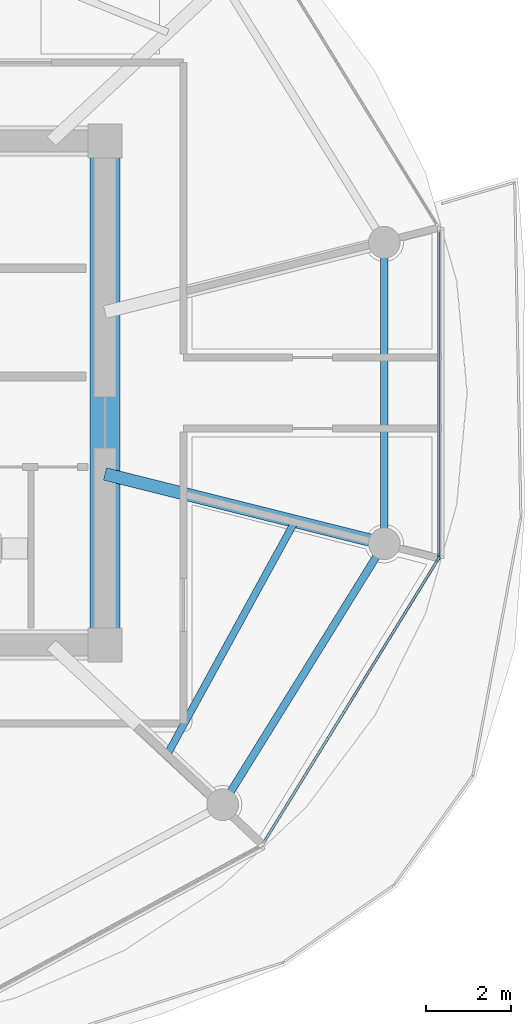
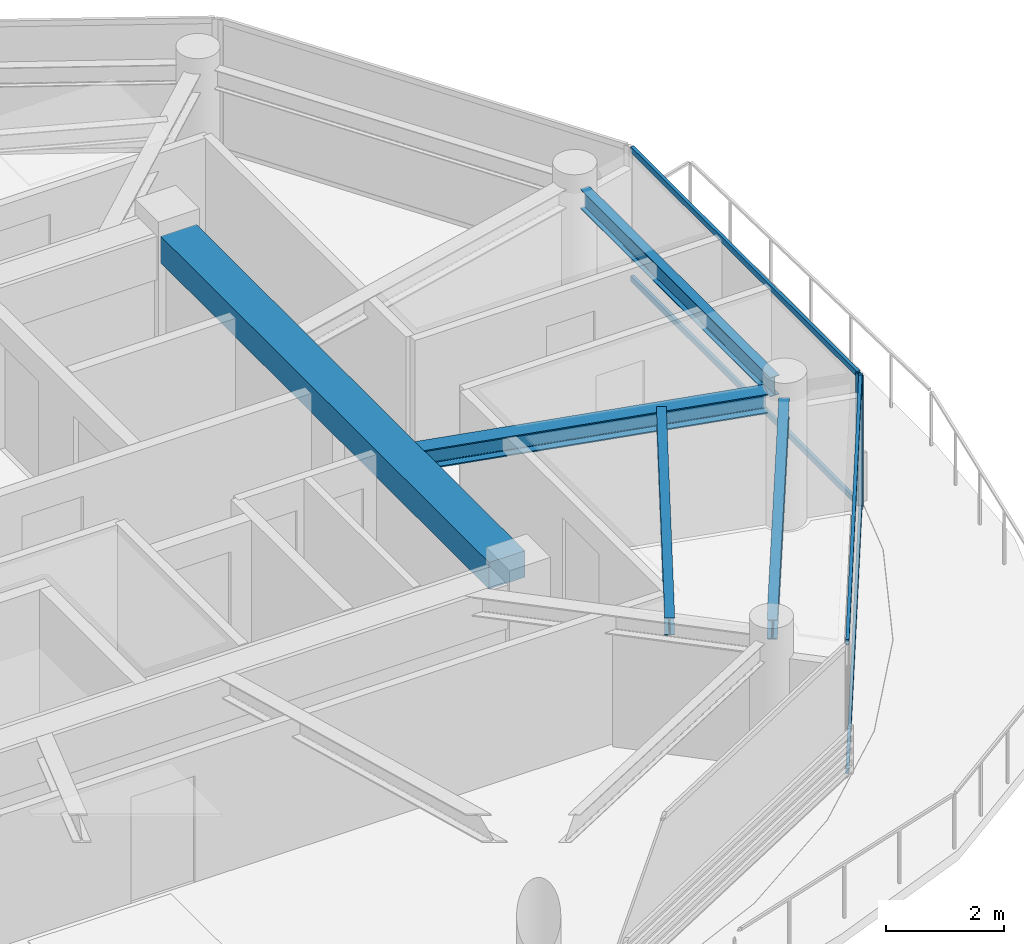
# One storey, part 3 of 21: 6 members, 5 beams, 2 elements without a shape of their own.
"""IFC4 building model written with IfcOpenShell, lengths in metres."""

import ifcopenshell
import ifcopenshell.guid

model = None  # the IFC model being written
_history = None  # IfcOwnerHistory: only IFC2X3 demands one
_inside = {}  # id of a spatial element -> (the spatial element, [elements in it])
_under = {}  # id of a project, library or spatial element -> (it, [spatial elements below it])
_declared = {}  # id of a project -> (the project, [libraries it declares])
_typed = {}  # id of a type object -> (the type object, [elements of that type])
_made_of = {}  # id of a material, layer set ... -> (it, [elements and type objects made of it])


def new_model(schema):
    """Start an empty IFC model of exactly this schema.

    Asked for "IFC4X3", IfcOpenShell would pick the latest addendum, in which some entities
    have other attributes; the version numbers below select the first issue.
    IFC2X3 requires an IfcOwnerHistory on every rooted entity: one is made here for all.
    """
    global model, _history
    if schema == "IFC4X3":
        model = ifcopenshell.file(schema_version=(4, 3, 0, 0))
    else:
        model = ifcopenshell.file(schema=schema)
    _inside.clear()
    _under.clear()
    _declared.clear()
    _typed.clear()
    _made_of.clear()
    _history = None
    if model.schema == "IFC2X3":
        org = make("IfcOrganization", Name="unknown")
        user = make(
            "IfcPersonAndOrganization",
            ThePerson=make("IfcPerson", FamilyName="unknown"),
            TheOrganization=org,
        )
        app = make(
            "IfcApplication",
            ApplicationDeveloper=org,
            Version="unknown",
            ApplicationFullName="unknown",
            ApplicationIdentifier="unknown",
        )
        _history = make(
            "IfcOwnerHistory",
            OwningUser=user,
            OwningApplication=app,
            ChangeAction="ADDED",
            CreationDate=0,
        )
    return model


def make(cls, **values):
    """One entity of the class cls with the attributes given. An attribute that is None is left unset."""
    return model.create_entity(
        cls, **{name: value for name, value in values.items() if value is not None}
    )


def rooted(cls, **values):
    """An entity with a GlobalId (a new one), such as an element, a storey or a relation."""
    return make(cls, GlobalId=ifcopenshell.guid.new(), OwnerHistory=_history, **values)


def si_unit(unit_type, name, prefix=None):
    """IfcSIUnit, for example si_unit("LENGTHUNIT", "METRE", prefix="MILLI")."""
    return make("IfcSIUnit", UnitType=unit_type, Prefix=prefix, Name=name)


def assignment(units):
    """IfcUnitAssignment: the units of a project."""
    return None if units is None else make("IfcUnitAssignment", Units=units)


def point(xyz):
    """IfcCartesianPoint."""
    return None if xyz is None else make("IfcCartesianPoint", Coordinates=xyz)


def direction(xyz):
    """IfcDirection."""
    return None if xyz is None else make("IfcDirection", DirectionRatios=xyz)


def frame(location, z_axis=None, x_axis=None):
    """IfcAxis2Placement3D, a coordinate frame: its origin and axes. An axis left out is left unset."""
    return make(
        "IfcAxis2Placement3D",
        Location=point(location),
        Axis=direction(z_axis),
        RefDirection=direction(x_axis),
    )


def frame_2d(location, x_axis=None):
    """IfcAxis2Placement2D, a coordinate frame in the plane: its origin and x axis."""
    return make(
        "IfcAxis2Placement2D", Location=point(location), RefDirection=direction(x_axis)
    )


def origin():
    """The frame at (0, 0, 0) with its axes left unset."""
    return frame((0.0, 0.0, 0.0))


def origin_2d():
    """The frame at (0, 0) in the plane with its x axis left unset."""
    return frame_2d((0.0, 0.0))


def place(relative_to, where):
    """IfcLocalPlacement: puts the frame where relative to a parent placement (None: the world)."""
    return make(
        "IfcLocalPlacement", PlacementRelTo=relative_to, RelativePlacement=where
    )


def context(
    kind, dimensions, precision=None, world=None, true_north=None, identifier=None
):
    """IfcGeometricRepresentationContext, for example the 3D "Model" context."""
    return make(
        "IfcGeometricRepresentationContext",
        ContextIdentifier=identifier,
        ContextType=kind,
        CoordinateSpaceDimension=dimensions,
        Precision=precision,
        WorldCoordinateSystem=world,
        TrueNorth=true_north,
    )


def subcontext(parent, identifier, kind, view, scale=None):
    """IfcGeometricRepresentationSubContext, for example "Body" below "Model"."""
    return make(
        "IfcGeometricRepresentationSubContext",
        ContextIdentifier=identifier,
        ContextType=kind,
        ParentContext=parent,
        TargetScale=scale,
        TargetView=view,
    )


def project(units=None, contexts=None):
    """IfcProject with its units and contexts."""
    return rooted(
        "IfcProject",
        Name="project",
        RepresentationContexts=contexts,
        UnitsInContext=assignment(units),
    )


def spatial(cls, under=None, at=None, **own):
    """A site, building, storey or space (cls), placed at a placement, below another one or the project."""
    s = rooted(cls, ObjectPlacement=at, **own)
    if under is not None:
        _under.setdefault(under.id(), (under, []))[1].append(s)
    return s


def profile(cls, at=None, kind="AREA", **sizes):
    """A parametric profile (cls). Its sizes go by their IFC names, for example OverallWidth=200.0."""
    return make(cls, ProfileType=kind, Position=at, **sizes)


def rectangle(**sizes):
    """IfcRectangleProfileDef."""
    return profile("IfcRectangleProfileDef", **sizes)


def i_section(**sizes):
    """IfcIShapeProfileDef."""
    return profile("IfcIShapeProfileDef", **sizes)


def extrude(swept, where, along, depth):
    """IfcExtrudedAreaSolid: the profile swept, set in the frame where, extruded along a direction by depth."""
    return make(
        "IfcExtrudedAreaSolid",
        SweptArea=swept,
        Position=where,
        ExtrudedDirection=direction(along),
        Depth=depth,
    )


def shape(context_of_items, identifier, shape_type, items):
    """IfcShapeRepresentation: the items that make up one representation, for example the "Body"."""
    return make(
        "IfcShapeRepresentation",
        ContextOfItems=context_of_items,
        RepresentationIdentifier=identifier,
        RepresentationType=shape_type,
        Items=items,
    )


def source(mapping_origin, context_of_items, identifier, shape_type, items):
    """IfcRepresentationMap: a shape defined once, which mapped items show again and again."""
    return make(
        "IfcRepresentationMap",
        MappingOrigin=mapping_origin,
        MappedRepresentation=shape(context_of_items, identifier, shape_type, items),
    )


def transform(
    local_origin,
    x_axis=None,
    y_axis=None,
    z_axis=None,
    scale=None,
    scale2=None,
    scale3=None,
    uniform=True,
):
    """IfcCartesianTransformationOperator3D, or its non-uniform kind. x_axis, y_axis, z_axis: its Axis1, 2, 3."""
    if uniform:
        return make(
            "IfcCartesianTransformationOperator3D",
            Axis1=direction(x_axis),
            Axis2=direction(y_axis),
            LocalOrigin=point(local_origin),
            Scale=scale,
            Axis3=direction(z_axis),
        )
    return make(
        "IfcCartesianTransformationOperator3DnonUniform",
        Axis1=direction(x_axis),
        Axis2=direction(y_axis),
        LocalOrigin=point(local_origin),
        Scale=scale,
        Axis3=direction(z_axis),
        Scale2=scale2,
        Scale3=scale3,
    )


def mapped(mapping_source, mapping_target):
    """IfcMappedItem: shows the shape of a source again, moved by a transform."""
    return make(
        "IfcMappedItem", MappingSource=mapping_source, MappingTarget=mapping_target
    )


def material(Name=None, Category=None):
    """IfcMaterial."""
    return make("IfcMaterial", Name=Name, Category=Category)


def layer(
    of_material, thickness, ventilated=None, Name=None, Category=None, Priority=None
):
    """IfcMaterialLayer: one layer of a wall or slab, of a material (None: an air gap)."""
    return make(
        "IfcMaterialLayer",
        Material=of_material,
        LayerThickness=thickness,
        IsVentilated=ventilated,
        Name=Name,
        Category=Category,
        Priority=Priority,
    )


def layer_set(layers, Name=None):
    """IfcMaterialLayerSet."""
    return make("IfcMaterialLayerSet", MaterialLayers=layers, LayerSetName=Name)


def material_profile(
    of_material, cross_section, Name=None, Category=None, Priority=None
):
    """IfcMaterialProfile: a cross section and its material."""
    return make(
        "IfcMaterialProfile",
        Name=Name,
        Material=of_material,
        Profile=cross_section,
        Priority=Priority,
        Category=Category,
    )


def profile_set(profiles, Name=None, composite=None):
    """IfcMaterialProfileSet."""
    return make(
        "IfcMaterialProfileSet",
        Name=Name,
        MaterialProfiles=profiles,
        CompositeProfile=composite,
    )


def made_of(thing, what):
    """Note that an element or type object is made of a material, layer set ...; save() writes the relation."""
    if what is not None:
        _made_of.setdefault(what.id(), (what, []))[1].append(thing)
    return thing


def type_object(cls, material=None, **own):
    """A type object (cls), such as IfcWallType, which elements share."""
    return made_of(rooted(cls, **own), material)


def type_shapes(of_type, sources):
    """Give a type object the sources (RepresentationMaps) that its elements show as mapped items."""
    of_type.RepresentationMaps = sources


def element(
    cls,
    number,
    at=None,
    inside=None,
    cuts=None,
    type_object=None,
    material=None,
    context=None,
    identifier="Body",
    shape_type=None,
    held_by="IfcProductDefinitionShape",
    body=None,
    shapes=None,
    **own,
):
    """One element of the class cls, such as IfcWall. Its Tag is "e" and its number.

    at: its placement. inside: the storey or other place that contains it. cuts: it is an
    opening in that element (IfcRelVoidsElement). A single representation is given by context,
    identifier, shape_type and body (its items); several are given by shapes. held_by: the class
    of the entity that holds the representations. save() writes the other relations.
    """
    e = rooted(cls, Tag="e%d" % number, ObjectPlacement=at, **own)
    if body is not None:
        shapes = [shape(context, identifier, shape_type, body)]
    if shapes is not None:
        e.Representation = make(held_by, Representations=shapes)
    if inside is not None:
        _inside.setdefault(inside.id(), (inside, []))[1].append(e)
    if cuts is not None:
        rooted(
            "IfcRelVoidsElement", RelatingBuildingElement=cuts, RelatedOpeningElement=e
        )
    if type_object is not None:
        _typed.setdefault(type_object.id(), (type_object, []))[1].append(e)
    return made_of(e, material)


def aggregate(whole, parts):
    """IfcRelAggregates: a whole, such as a stair, and the parts it consists of."""
    return rooted("IfcRelAggregates", RelatingObject=whole, RelatedObjects=parts)


def save(model, path):
    """Write the relations noted so far, then the file.

    IfcRelAggregates (storeys below a building ...), IfcRelContainedInSpatialStructure (elements
    in a storey), IfcRelDefinesByType, IfcRelAssociatesMaterial and IfcRelDeclares: one each for
    every whole, place, type object, material and project.
    """
    for whole, parts in _under.values():
        aggregate(whole, parts)
    for where, things in _inside.values():
        rooted(
            "IfcRelContainedInSpatialStructure",
            RelatedElements=things,
            RelatingStructure=where,
        )
    for kind, things in _typed.values():
        rooted("IfcRelDefinesByType", RelatedObjects=things, RelatingType=kind)
    for what, things in _made_of.values():
        rooted("IfcRelAssociatesMaterial", RelatedObjects=things, RelatingMaterial=what)
    for by, libraries in _declared.values():
        rooted("IfcRelDeclares", RelatingContext=by, RelatedDefinitions=libraries)
    model.write(path)


model = new_model("IFC4")

# Units and contexts
model_context = context("Model", 3, precision=1e-05, world=origin(), true_north=direction((0.0, 1.0)))
body_context = subcontext(model_context, "Body", "Model", "MODEL_VIEW")
ifc_project = project(units=[si_unit("LENGTHUNIT", "METRE"), si_unit("AREAUNIT", "SQUARE_METRE"), si_unit("VOLUMEUNIT", "CUBIC_METRE"), si_unit("PLANEANGLEUNIT", "RADIAN"), si_unit("MASSUNIT", "GRAM", prefix="KILO")], contexts=[model_context])

# Site, building, storey
site_placement = place(None, origin())
site = spatial("IfcSite", under=ifc_project, at=site_placement, CompositionType="ELEMENT")
building_placement = place(site_placement, origin())
building = spatial("IfcBuilding", under=site, at=building_placement, Name="Norrkilde Senior Care Towers", CompositionType="ELEMENT")
storey_placement = place(building_placement, frame((0.0, 0.0, 241.35009765625)))
storey = spatial("IfcBuildingStorey", under=building, at=storey_placement, Name="L75", CompositionType="ELEMENT", Elevation=241.35009765625)

# Beams
ifc_material_1 = material(Name="Concrete C60/75", Category="concrete")
ifc_material_profile_1 = material_profile(ifc_material_1, rectangle(XDim=0.699951171875, YDim=0.550048828125, at=origin_2d()), Name="RC BM 700x550")
ifc_profile_set_1 = profile_set([ifc_material_profile_1], Name="Concrete C60/75")
beam_type_1 = type_object("IfcBeamType", Name="Core Portal Coupling Beam 700x550", PredefinedType="USERDEFINED", material=ifc_profile_set_1)
shared_shape_1 = source(origin(), body_context, "Body", "SweptSolid", [
    extrude(rectangle(XDim=0.699951171875, YDim=0.550048828125, at=origin_2d()), origin(), (0.0, 0.0, 1.0), 11.14013671875),
])
type_shapes(beam_type_1, [shared_shape_1])
beam_1_placement = place(storey_placement, frame((-20.35009765625, -5.570068359375, 2.454833984375), z_axis=(0.0, 1.0, 0.0), x_axis=(-1.0, 0.0, 0.0)))
element("IfcBeam", 1, at=beam_1_placement, inside=storey, type_object=beam_type_1, Name="L75 Core W E Coupling Girder", ObjectType="GIRDER", PredefinedType="USERDEFINED", context=body_context, shape_type="MappedRepresentation", body=[
    mapped(shared_shape_1, transform((0.0, 0.0, 0.0), x_axis=(1.0, 0.0, 0.0), y_axis=(0.0, 1.0, 0.0), z_axis=(0.0, 0.0, 1.0), scale=1.0)),
])
ifc_material_2 = material(Name="Steel S355", Category="steel")
ifc_material_profile_2 = material_profile(ifc_material_2, i_section(OverallWidth=0.179931640625, OverallDepth=0.39990234375, WebThickness=0.008544921875, FlangeThickness=0.013427734375, FilletRadius=0.02099609375, at=origin_2d()), Name="IPE 400")
ifc_profile_set_2 = profile_set([ifc_material_profile_2], Name="Steel S355")
beam_type_2 = type_object("IfcBeamType", Name="Perimeter Ring Spandrel Z4 IPE400", PredefinedType="SPANDREL", material=ifc_profile_set_2)
shared_shape_2 = source(origin(), body_context, "Body", "SweptSolid", [
    extrude(i_section(OverallWidth=0.179931640625, OverallDepth=0.39990234375, WebThickness=0.008544921875, FlangeThickness=0.013427734375, FilletRadius=0.02099609375, at=origin_2d()), origin(), (0.0, 0.0, 1.0), 6.58056640625),
])
beam_2_placement = place(storey_placement, frame((-17.393798828125, -9.43798828125, 2.52978515625), z_axis=(0.526529583789, 0.850156807533, 0.0), x_axis=(-0.850156807533, 0.526529583789, 0.0)))
element("IfcBeam", 2, at=beam_2_placement, inside=storey, type_object=beam_type_2, Name="L75 Drum W Perimeter Spandrel 11", PredefinedType="SPANDREL", context=body_context, shape_type="MappedRepresentation", body=[
    mapped(shared_shape_2, transform((0.0, 0.0, 0.0), x_axis=(1.0, 0.0, 0.0), y_axis=(0.0, 1.0, 0.0), z_axis=(0.0, 0.0, 1.0), scale=1.0)),
])
ifc_material_profile_3 = material_profile(ifc_material_2, i_section(OverallWidth=0.300048828125, OverallDepth=0.39990234375, WebThickness=0.013427734375, FlangeThickness=0.02392578125, FilletRadius=0.027099609375, at=origin_2d()), Name="HEB 400")
ifc_profile_set_3 = profile_set([ifc_material_profile_3], Name="Steel S355")
beam_type_3 = type_object("IfcBeamType", Name="Radial Floor Beam Z4 HEB400", PredefinedType="BEAM", material=ifc_profile_set_3)
shared_shape_3 = source(origin(), body_context, "Body", "SweptSolid", [
    extrude(i_section(OverallWidth=0.300048828125, OverallDepth=0.39990234375, WebThickness=0.013427734375, FlangeThickness=0.02392578125, FilletRadius=0.027099609375, at=origin_2d()), origin(), (0.0, 0.0, 1.0), 6.465087890625),
])
type_shapes(beam_type_3, [shared_shape_3])
beam_3_placement = place(storey_placement, frame((-20.35009765625, -1.910888671875, 2.52978515625), z_axis=(0.970195788563, -0.242322371758, 0.0), x_axis=(0.242322371758, 0.970195788563, 0.0)))
element("IfcBeam", 3, at=beam_3_placement, inside=storey, type_object=beam_type_3, Name="L75 Drum W Radial Floor Beam 12", PredefinedType="BEAM", context=body_context, shape_type="MappedRepresentation", body=[
    mapped(shared_shape_3, transform((0.0, 0.0, 0.0), x_axis=(1.0, 0.0, 0.0), y_axis=(0.0, 1.0, 0.0), z_axis=(0.0, 0.0, 1.0), scale=1.0)),
])
shared_shape_4 = source(origin(), body_context, "Body", "SweptSolid", [
    extrude(i_section(OverallWidth=0.179931640625, OverallDepth=0.39990234375, WebThickness=0.008544921875, FlangeThickness=0.013427734375, FilletRadius=0.02099609375, at=origin_2d()), origin(), (0.0, 0.0, 1.0), 6.44775390625),
])
type_shapes(beam_type_2, [shared_shape_2, shared_shape_4])
beam_4_placement = place(storey_placement, frame((-13.752685546875, -3.223876953125, 2.52978515625), z_axis=(0.0, 1.0, 0.0), x_axis=(-1.0, 0.0, 0.0)))
element("IfcBeam", 4, at=beam_4_placement, inside=storey, type_object=beam_type_2, Name="L75 Drum W Perimeter Spandrel 12", PredefinedType="SPANDREL", context=body_context, shape_type="MappedRepresentation", body=[
    mapped(shared_shape_4, transform((0.0, 0.0, 0.0), x_axis=(1.0, 0.0, 0.0), y_axis=(0.0, 1.0, 0.0), z_axis=(0.0, 0.0, 1.0), scale=1.0)),
])
ifc_material_profile_4 = material_profile(ifc_material_2, i_section(OverallWidth=0.169921875, OverallDepth=0.360107421875, WebThickness=0.008056640625, FlangeThickness=0.0126953125, FilletRadius=0.01806640625, at=origin_2d()), Name="IPE 360")
ifc_profile_set_4 = profile_set([ifc_material_profile_4], Name="Steel S355")
beam_type_4 = type_object("IfcBeamType", Name="Secondary Floor Joist IPE360", PredefinedType="JOIST", material=ifc_profile_set_4)
shared_shape_5 = source(origin(), body_context, "Body", "SweptSolid", [
    extrude(i_section(OverallWidth=0.169921875, OverallDepth=0.360107421875, WebThickness=0.008056640625, FlangeThickness=0.0126953125, FilletRadius=0.01806640625, at=origin_2d()), origin(), (0.0, 0.0, 1.0), 6.25146484375),
])
type_shapes(beam_type_4, [shared_shape_5])
beam_5_placement = place(storey_placement, frame((-18.865234375, -8.515380859375, 2.5498046875), z_axis=(0.480115752653, 0.877205143655, 0.0), x_axis=(-0.877205143655, 0.480115752653, 0.0)))
element("IfcBeam", 5, at=beam_5_placement, inside=storey, type_object=beam_type_4, Name="L75 Drum W Secondary Floor Joist 4", PredefinedType="JOIST", context=body_context, shape_type="MappedRepresentation", body=[
    mapped(shared_shape_5, transform((0.0, 0.0, 0.0), x_axis=(1.0, 0.0, 0.0), y_axis=(0.0, 1.0, 0.0), z_axis=(0.0, 0.0, 1.0), scale=1.0)),
])

# Curtain wall, member
ifc_material_3 = material(Name="Triple Low-E Insulated Glazing", Category="glass")
ifc_layer = layer(ifc_material_3, 0.18505859375)
ifc_layer_set = layer_set([ifc_layer], Name="Triple Low-E Insulated Glazing")
curtain_wall_type = type_object("IfcCurtainWallType", Name="CW6 Zone 4 Crown Pavilion Curtain Wall", PredefinedType="NOTDEFINED", material=ifc_layer_set)
curtain_wall_1_placement = place(storey_placement, origin())
curtain_wall_1 = element("IfcCurtainWall", 6, at=curtain_wall_1_placement, inside=storey, type_object=curtain_wall_type, Name="L75 Drum W Curtain Wall 10", PredefinedType="NOTDEFINED")
ifc_material_4 = material(Name="Anodised Aluminium", Category="aluminium")
ifc_material_profile_5 = material_profile(ifc_material_4, rectangle(XDim=0.06494140625, YDim=0.14990234375, at=origin_2d()), Name="ALU MULL 65x150")
ifc_profile_set_5 = profile_set([ifc_material_profile_5], Name="Anodised Aluminium")
member_type_1 = type_object("IfcMemberType", Name="Curtain Wall Mullion Z3-Z4 65x150", PredefinedType="MULLION", material=ifc_profile_set_5)
shared_shape_6 = source(origin(), body_context, "Body", "SweptSolid", [
    extrude(rectangle(XDim=0.06494140625, YDim=0.14990234375, at=origin_2d()), origin(), (0.0, 0.0, 1.0), 2.72998046875),
])
type_shapes(member_type_1, [shared_shape_6])
member_1_placement = place(storey_placement, frame((-12.48486328125, -3.9306640625, 0.0), z_axis=(0.0, 0.0, 1.0), x_axis=(0.851562727283, -0.524252726748, 0.0)))
member_1 = element("IfcMember", 7, at=member_1_placement, type_object=member_type_1, Name="CW-6 mullion 1", PredefinedType="MULLION", context=body_context, shape_type="MappedRepresentation", body=[
    mapped(shared_shape_6, transform((0.0, 0.0, 0.0), x_axis=(1.0, 0.0, 0.0), y_axis=(0.0, 1.0, 0.0), z_axis=(0.0, 0.0, 1.0), scale=1.0)),
])

curtain_wall_2_placement = place(storey_placement, origin())
curtain_wall_2 = element("IfcCurtainWall", 8, at=curtain_wall_2_placement, inside=storey, type_object=curtain_wall_type, Name="L75 Drum W Curtain Wall 11", PredefinedType="NOTDEFINED")
member_2_placement = place(storey_placement, frame((-12.468017578125, -3.87060546875, 0.0), z_axis=(0.0, 0.0, 1.0), x_axis=(1.0, 0.0, 0.0)))
member_2 = element("IfcMember", 9, at=member_2_placement, type_object=member_type_1, Name="CW-6 mullion 2", PredefinedType="MULLION", context=body_context, shape_type="MappedRepresentation", body=[
    mapped(shared_shape_6, transform((0.0, 0.0, 0.0), x_axis=(1.0, 0.0, 0.0), y_axis=(0.0, 1.0, 0.0), z_axis=(0.0, 0.0, 1.0), scale=1.0)),
])

# Member
ifc_material_profile_6 = material_profile(ifc_material_4, rectangle(XDim=0.06005859375, YDim=0.1201171875, at=origin_2d()), Name="ALU TRAN 60x120")
ifc_profile_set_6 = profile_set([ifc_material_profile_6], Name="Anodised Aluminium")
member_type_2 = type_object("IfcMemberType", Name="Curtain Wall Transom Typical 60x120", PredefinedType="USERDEFINED", material=ifc_profile_set_6)
shared_shape_7 = source(origin(), body_context, "Body", "SweptSolid", [
    extrude(rectangle(XDim=0.06005859375, YDim=0.1201171875, at=origin_2d()), origin(), (0.0, 0.0, 1.0), 7.808837890625),
])
member_3_placement = place(storey_placement, frame((-12.501953125, -3.958251953125, 0.02978515625), z_axis=(-0.524250924101, -0.851563837055, 0.0), x_axis=(0.851563837055, -0.524250924101, 0.0)))
member_3 = element("IfcMember", 10, at=member_3_placement, type_object=member_type_2, Name="CW-6 transom 1.1", ObjectType="TRANSOM", PredefinedType="USERDEFINED", context=body_context, shape_type="MappedRepresentation", body=[
    mapped(shared_shape_7, transform((0.0, 0.0, 0.0), x_axis=(1.0, 0.0, 0.0), y_axis=(0.0, 1.0, 0.0), z_axis=(0.0, 0.0, 1.0), scale=1.0)),
])

member_4_placement = place(storey_placement, frame((-12.501953125, -3.958251953125, 2.699951171875), z_axis=(-0.524250924101, -0.851563837055, 0.0), x_axis=(0.851563837055, -0.524250924101, 0.0)))
member_4 = element("IfcMember", 11, at=member_4_placement, type_object=member_type_2, Name="CW-6 transom 1.2", ObjectType="TRANSOM", PredefinedType="USERDEFINED", context=body_context, shape_type="MappedRepresentation", body=[
    mapped(shared_shape_7, transform((0.0, 0.0, 0.0), x_axis=(1.0, 0.0, 0.0), y_axis=(0.0, 1.0, 0.0), z_axis=(0.0, 0.0, 1.0), scale=1.0)),
])

aggregate(curtain_wall_1, [member_1, member_3, member_4])

shared_shape_8 = source(origin(), body_context, "Body", "SweptSolid", [
    extrude(rectangle(XDim=0.06005859375, YDim=0.1201171875, at=origin_2d()), origin(), (0.0, 0.0, 1.0), 7.67578125),
])
type_shapes(member_type_2, [shared_shape_7, shared_shape_8])
member_5_placement = place(storey_placement, frame((-12.468017578125, 3.837890625, 0.02978515625), z_axis=(0.0, -1.0, 0.0), x_axis=(1.0, 0.0, 0.0)))
member_5 = element("IfcMember", 12, at=member_5_placement, type_object=member_type_2, Name="CW-6 transom 1.1", ObjectType="TRANSOM", PredefinedType="USERDEFINED", context=body_context, shape_type="MappedRepresentation", body=[
    mapped(shared_shape_8, transform((0.0, 0.0, 0.0), x_axis=(1.0, 0.0, 0.0), y_axis=(0.0, 1.0, 0.0), z_axis=(0.0, 0.0, 1.0), scale=1.0)),
])

member_6_placement = place(storey_placement, frame((-12.468017578125, 3.837890625, 2.699951171875), z_axis=(0.0, -1.0, 0.0), x_axis=(1.0, 0.0, 0.0)))
member_6 = element("IfcMember", 13, at=member_6_placement, type_object=member_type_2, Name="CW-6 transom 1.2", ObjectType="TRANSOM", PredefinedType="USERDEFINED", context=body_context, shape_type="MappedRepresentation", body=[
    mapped(shared_shape_8, transform((0.0, 0.0, 0.0), x_axis=(1.0, 0.0, 0.0), y_axis=(0.0, 1.0, 0.0), z_axis=(0.0, 0.0, 1.0), scale=1.0)),
])

aggregate(curtain_wall_2, [member_2, member_5, member_6])

save(model, "model.ifc")
